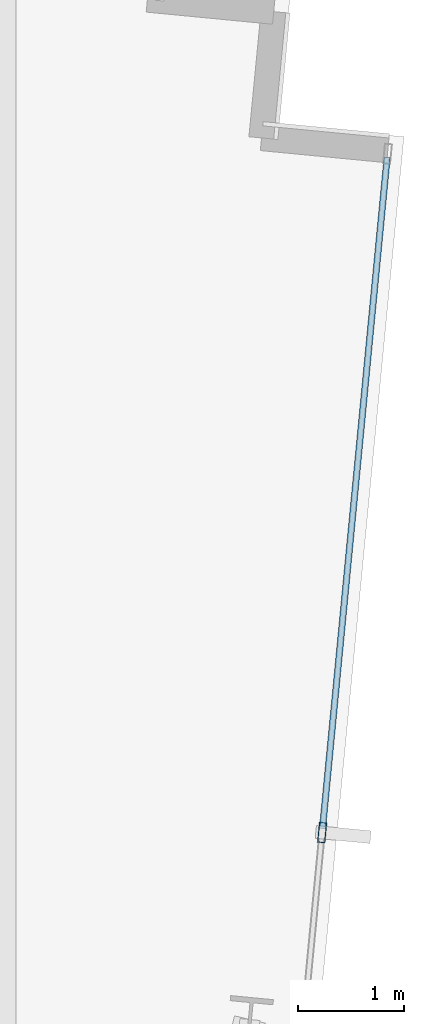
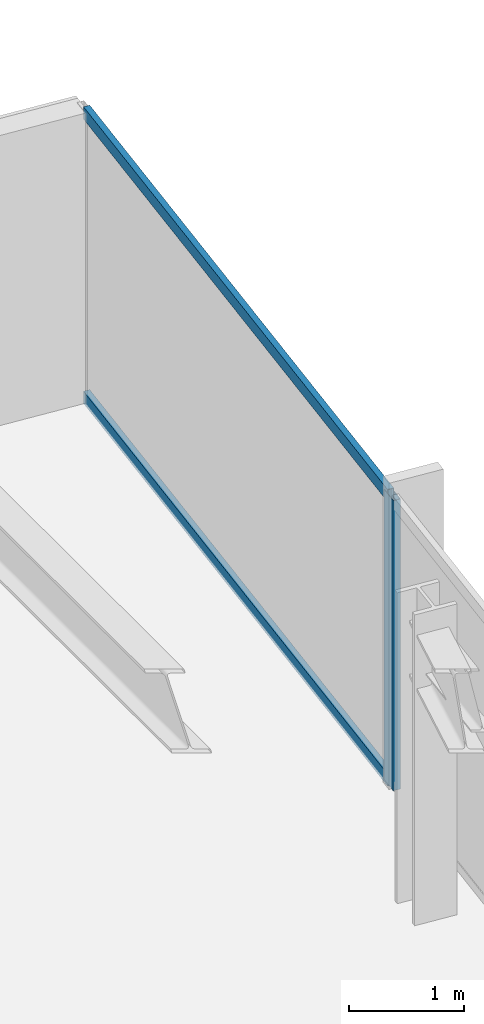
# One storey, part 20 of 37: 3 members, 1 element without a shape of its own.
"""IFC4 building model written with IfcOpenShell, lengths in metres."""

import ifcopenshell
import ifcopenshell.guid

model = None  # the IFC model being written
_history = None  # IfcOwnerHistory: only IFC2X3 demands one
_inside = {}  # id of a spatial element -> (the spatial element, [elements in it])
_under = {}  # id of a project, library or spatial element -> (it, [spatial elements below it])
_declared = {}  # id of a project -> (the project, [libraries it declares])
_typed = {}  # id of a type object -> (the type object, [elements of that type])
_made_of = {}  # id of a material, layer set ... -> (it, [elements and type objects made of it])


def new_model(schema):
    """Start an empty IFC model of exactly this schema.

    Asked for "IFC4X3", IfcOpenShell would pick the latest addendum, in which some entities
    have other attributes; the version numbers below select the first issue.
    IFC2X3 requires an IfcOwnerHistory on every rooted entity: one is made here for all.
    """
    global model, _history
    if schema == "IFC4X3":
        model = ifcopenshell.file(schema_version=(4, 3, 0, 0))
    else:
        model = ifcopenshell.file(schema=schema)
    _inside.clear()
    _under.clear()
    _declared.clear()
    _typed.clear()
    _made_of.clear()
    _history = None
    if model.schema == "IFC2X3":
        org = make("IfcOrganization", Name="unknown")
        user = make(
            "IfcPersonAndOrganization",
            ThePerson=make("IfcPerson", FamilyName="unknown"),
            TheOrganization=org,
        )
        app = make(
            "IfcApplication",
            ApplicationDeveloper=org,
            Version="unknown",
            ApplicationFullName="unknown",
            ApplicationIdentifier="unknown",
        )
        _history = make(
            "IfcOwnerHistory",
            OwningUser=user,
            OwningApplication=app,
            ChangeAction="ADDED",
            CreationDate=0,
        )
    return model


def make(cls, **values):
    """One entity of the class cls with the attributes given. An attribute that is None is left unset."""
    return model.create_entity(
        cls, **{name: value for name, value in values.items() if value is not None}
    )


def rooted(cls, **values):
    """An entity with a GlobalId (a new one), such as an element, a storey or a relation."""
    return make(cls, GlobalId=ifcopenshell.guid.new(), OwnerHistory=_history, **values)


def si_unit(unit_type, name, prefix=None):
    """IfcSIUnit, for example si_unit("LENGTHUNIT", "METRE", prefix="MILLI")."""
    return make("IfcSIUnit", UnitType=unit_type, Prefix=prefix, Name=name)


def assignment(units):
    """IfcUnitAssignment: the units of a project."""
    return None if units is None else make("IfcUnitAssignment", Units=units)


def point(xyz):
    """IfcCartesianPoint."""
    return None if xyz is None else make("IfcCartesianPoint", Coordinates=xyz)


def direction(xyz):
    """IfcDirection."""
    return None if xyz is None else make("IfcDirection", DirectionRatios=xyz)


def frame(location, z_axis=None, x_axis=None):
    """IfcAxis2Placement3D, a coordinate frame: its origin and axes. An axis left out is left unset."""
    return make(
        "IfcAxis2Placement3D",
        Location=point(location),
        Axis=direction(z_axis),
        RefDirection=direction(x_axis),
    )


def frame_2d(location, x_axis=None):
    """IfcAxis2Placement2D, a coordinate frame in the plane: its origin and x axis."""
    return make(
        "IfcAxis2Placement2D", Location=point(location), RefDirection=direction(x_axis)
    )


def origin():
    """The frame at (0, 0, 0) with its axes left unset."""
    return frame((0.0, 0.0, 0.0))


def origin_2d():
    """The frame at (0, 0) in the plane with its x axis left unset."""
    return frame_2d((0.0, 0.0))


def place(relative_to, where):
    """IfcLocalPlacement: puts the frame where relative to a parent placement (None: the world)."""
    return make(
        "IfcLocalPlacement", PlacementRelTo=relative_to, RelativePlacement=where
    )


def context(
    kind, dimensions, precision=None, world=None, true_north=None, identifier=None
):
    """IfcGeometricRepresentationContext, for example the 3D "Model" context."""
    return make(
        "IfcGeometricRepresentationContext",
        ContextIdentifier=identifier,
        ContextType=kind,
        CoordinateSpaceDimension=dimensions,
        Precision=precision,
        WorldCoordinateSystem=world,
        TrueNorth=true_north,
    )


def subcontext(parent, identifier, kind, view, scale=None):
    """IfcGeometricRepresentationSubContext, for example "Body" below "Model"."""
    return make(
        "IfcGeometricRepresentationSubContext",
        ContextIdentifier=identifier,
        ContextType=kind,
        ParentContext=parent,
        TargetScale=scale,
        TargetView=view,
    )


def project(units=None, contexts=None):
    """IfcProject with its units and contexts."""
    return rooted(
        "IfcProject",
        Name="project",
        RepresentationContexts=contexts,
        UnitsInContext=assignment(units),
    )


def spatial(cls, under=None, at=None, **own):
    """A site, building, storey or space (cls), placed at a placement, below another one or the project."""
    s = rooted(cls, ObjectPlacement=at, **own)
    if under is not None:
        _under.setdefault(under.id(), (under, []))[1].append(s)
    return s


def profile(cls, at=None, kind="AREA", **sizes):
    """A parametric profile (cls). Its sizes go by their IFC names, for example OverallWidth=200.0."""
    return make(cls, ProfileType=kind, Position=at, **sizes)


def hollow_rectangle(**sizes):
    """IfcRectangleHollowProfileDef."""
    return profile("IfcRectangleHollowProfileDef", **sizes)


def extrude(swept, where, along, depth):
    """IfcExtrudedAreaSolid: the profile swept, set in the frame where, extruded along a direction by depth."""
    return make(
        "IfcExtrudedAreaSolid",
        SweptArea=swept,
        Position=where,
        ExtrudedDirection=direction(along),
        Depth=depth,
    )


def shape(context_of_items, identifier, shape_type, items):
    """IfcShapeRepresentation: the items that make up one representation, for example the "Body"."""
    return make(
        "IfcShapeRepresentation",
        ContextOfItems=context_of_items,
        RepresentationIdentifier=identifier,
        RepresentationType=shape_type,
        Items=items,
    )


def material(Name=None, Category=None):
    """IfcMaterial."""
    return make("IfcMaterial", Name=Name, Category=Category)


def material_profile(
    of_material, cross_section, Name=None, Category=None, Priority=None
):
    """IfcMaterialProfile: a cross section and its material."""
    return make(
        "IfcMaterialProfile",
        Name=Name,
        Material=of_material,
        Profile=cross_section,
        Priority=Priority,
        Category=Category,
    )


def profile_set(profiles, Name=None, composite=None):
    """IfcMaterialProfileSet."""
    return make(
        "IfcMaterialProfileSet",
        Name=Name,
        MaterialProfiles=profiles,
        CompositeProfile=composite,
    )


def made_of(thing, what):
    """Note that an element or type object is made of a material, layer set ...; save() writes the relation."""
    if what is not None:
        _made_of.setdefault(what.id(), (what, []))[1].append(thing)
    return thing


def type_object(cls, material=None, **own):
    """A type object (cls), such as IfcWallType, which elements share."""
    return made_of(rooted(cls, **own), material)


def element(
    cls,
    number,
    at=None,
    inside=None,
    cuts=None,
    type_object=None,
    material=None,
    context=None,
    identifier="Body",
    shape_type=None,
    held_by="IfcProductDefinitionShape",
    body=None,
    shapes=None,
    **own,
):
    """One element of the class cls, such as IfcWall. Its Tag is "e" and its number.

    at: its placement. inside: the storey or other place that contains it. cuts: it is an
    opening in that element (IfcRelVoidsElement). A single representation is given by context,
    identifier, shape_type and body (its items); several are given by shapes. held_by: the class
    of the entity that holds the representations. save() writes the other relations.
    """
    e = rooted(cls, Tag="e%d" % number, ObjectPlacement=at, **own)
    if body is not None:
        shapes = [shape(context, identifier, shape_type, body)]
    if shapes is not None:
        e.Representation = make(held_by, Representations=shapes)
    if inside is not None:
        _inside.setdefault(inside.id(), (inside, []))[1].append(e)
    if cuts is not None:
        rooted(
            "IfcRelVoidsElement", RelatingBuildingElement=cuts, RelatedOpeningElement=e
        )
    if type_object is not None:
        _typed.setdefault(type_object.id(), (type_object, []))[1].append(e)
    return made_of(e, material)


def aggregate(whole, parts):
    """IfcRelAggregates: a whole, such as a stair, and the parts it consists of."""
    return rooted("IfcRelAggregates", RelatingObject=whole, RelatedObjects=parts)


def save(model, path):
    """Write the relations noted so far, then the file.

    IfcRelAggregates (storeys below a building ...), IfcRelContainedInSpatialStructure (elements
    in a storey), IfcRelDefinesByType, IfcRelAssociatesMaterial and IfcRelDeclares: one each for
    every whole, place, type object, material and project.
    """
    for whole, parts in _under.values():
        aggregate(whole, parts)
    for where, things in _inside.values():
        rooted(
            "IfcRelContainedInSpatialStructure",
            RelatedElements=things,
            RelatingStructure=where,
        )
    for kind, things in _typed.values():
        rooted("IfcRelDefinesByType", RelatedObjects=things, RelatingType=kind)
    for what, things in _made_of.values():
        rooted("IfcRelAssociatesMaterial", RelatedObjects=things, RelatingMaterial=what)
    for by, libraries in _declared.values():
        rooted("IfcRelDeclares", RelatingContext=by, RelatedDefinitions=libraries)
    model.write(path)


model = new_model("IFC4")

# Units and contexts
model_context = context("Model", 3, precision=1e-05, world=origin(), true_north=direction((0.0, 1.0)))
body_context = subcontext(model_context, "Body", "Model", "MODEL_VIEW")
ifc_project = project(units=[si_unit("LENGTHUNIT", "METRE"), si_unit("AREAUNIT", "SQUARE_METRE"), si_unit("VOLUMEUNIT", "CUBIC_METRE"), si_unit("PLANEANGLEUNIT", "RADIAN"), si_unit("MASSUNIT", "GRAM", prefix="KILO")], contexts=[model_context])

# Site, building, storey
site_placement = place(None, origin())
site = spatial("IfcSite", under=ifc_project, at=site_placement, CompositionType="ELEMENT")
building_placement = place(site_placement, origin())
building = spatial("IfcBuilding", under=site, at=building_placement, Name="Yelkora Congress Tower", CompositionType="ELEMENT")
storey_placement = place(building_placement, frame((0.0, 0.0, 149.0)))
storey = spatial("IfcBuildingStorey", under=building, at=storey_placement, Name="L40", CompositionType="ELEMENT", Elevation=149.0)

# Curtain wall, members
ifc_material_1 = material(Name="Anodised aluminium and insulated glass", Category="aluminium")
curtain_wall_type = type_object("IfcCurtainWallType", Name="CW-SYS-B3", PredefinedType="NOTDEFINED", material=ifc_material_1)
curtain_wall_placement = place(storey_placement, origin())
curtain_wall = element("IfcCurtainWall", 1, at=curtain_wall_placement, inside=storey, type_object=curtain_wall_type, Name="L40 Unitised Curtain Wall 15", PredefinedType="NOTDEFINED")
ifc_material_2 = material(Name="Anodised aluminium 6063-T6", Category="aluminium")
ifc_material_profile_1 = material_profile(ifc_material_2, hollow_rectangle(XDim=0.070068359375, YDim=0.18994140625, WallThickness=0.00390625, at=origin_2d()), Name="ALU 70x190x4")
ifc_profile_set_1 = profile_set([ifc_material_profile_1], Name="Anodised aluminium 6063-T6")
member_type_1 = type_object("IfcMemberType", Name="MEM-ML-B3", PredefinedType="MULLION", material=ifc_profile_set_1)
member_1_placement = place(storey_placement, frame((60.646240234375, 36.849853515625, 0.0), z_axis=(0.0, 0.0, 1.0), x_axis=(0.995396565076, -0.095841944023, 0.0)))
member_1 = element("IfcMember", 2, at=member_1_placement, type_object=member_type_1, Name="CW-B3 mullion 2", PredefinedType="MULLION", context=body_context, shape_type="SweptSolid", body=[
    extrude(hollow_rectangle(XDim=0.070068359375, YDim=0.18994140625, WallThickness=0.00390625, at=origin_2d()), origin(), (0.0, 0.0, 1.0), 3.080078125),
])
ifc_material_profile_2 = material_profile(ifc_material_2, hollow_rectangle(XDim=0.06005859375, YDim=0.1298828125, WallThickness=0.00390625, at=origin_2d()), Name="ALU 60x130x4")
ifc_profile_set_2 = profile_set([ifc_material_profile_2], Name="Anodised aluminium 6063-T6")
member_type_2 = type_object("IfcMemberType", Name="MEM-TR-B3", PredefinedType="USERDEFINED", material=ifc_profile_set_2)
member_2_placement = place(storey_placement, frame((61.260986328125, 43.234375, 0.030029296875), z_axis=(-0.095872844558, -0.995393589329, 0.0), x_axis=(0.995393589329, -0.095872844558, 0.0)))
member_2 = element("IfcMember", 3, at=member_2_placement, type_object=member_type_2, Name="CW-B3 transom 1.1", ObjectType="TRANSOM", PredefinedType="USERDEFINED", context=body_context, shape_type="SweptSolid", body=[
    extrude(hollow_rectangle(XDim=0.06005859375, YDim=0.1298828125, WallThickness=0.00390625, at=origin_2d()), origin(), (0.0, 0.0, 1.0), 6.37890625),
])
member_3_placement = place(storey_placement, frame((61.260986328125, 43.234375, 3.050048828125), z_axis=(-0.095872844558, -0.995393589329, 0.0), x_axis=(0.995393589329, -0.095872844558, 0.0)))
member_3 = element("IfcMember", 4, at=member_3_placement, type_object=member_type_2, Name="CW-B3 transom 1.2", ObjectType="TRANSOM", PredefinedType="USERDEFINED", context=body_context, shape_type="SweptSolid", body=[
    extrude(hollow_rectangle(XDim=0.06005859375, YDim=0.1298828125, WallThickness=0.00390625, at=origin_2d()), origin(), (0.0, 0.0, 1.0), 6.37890625),
])
aggregate(curtain_wall, [member_1, member_2, member_3])

save(model, "model.ifc")
